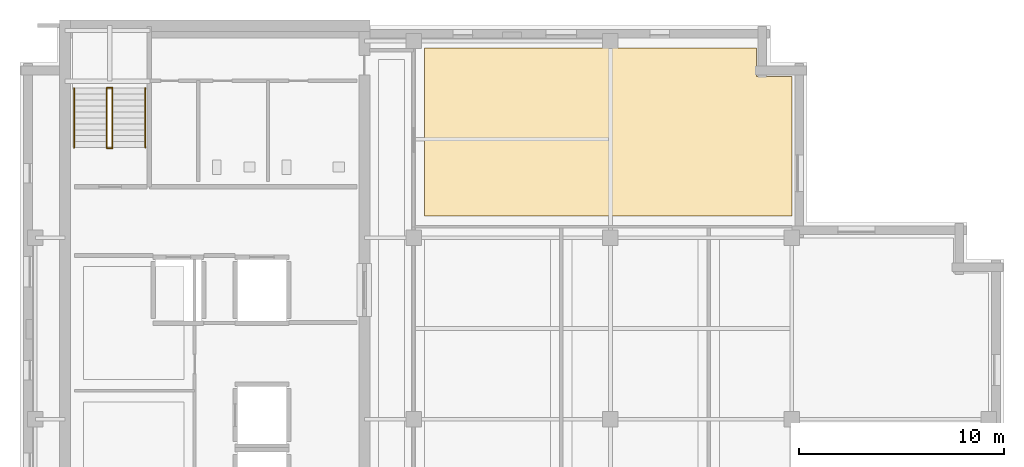
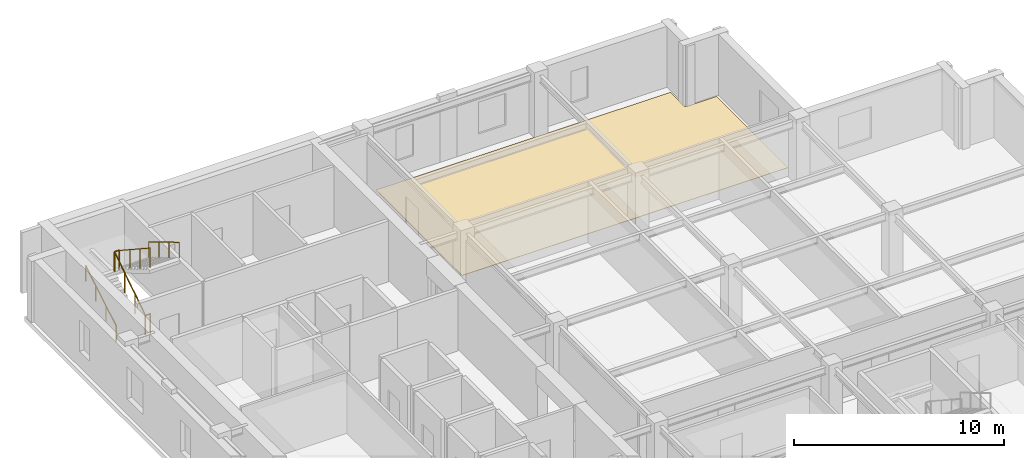
# One storey, part 9 of 10: 6 railings, 1 covering.
"""IFC4 building model written with IfcOpenShell, lengths in metres."""

from ifc_helpers import new_model, si_unit, direction, frame, origin, origin_2d, place, context, subcontext, project, spatial, polyline, circle, outline, extrude, material, layer, layer_set, type_object, element, save


model = new_model("IFC4")

# Units and contexts
model_context = context("Model", 3, precision=1e-05, world=origin(), true_north=direction((0.0, 1.0)))
body_context = subcontext(model_context, "Body", "Model", "MODEL_VIEW")
ifc_project = project(units=[si_unit("LENGTHUNIT", "METRE"), si_unit("AREAUNIT", "SQUARE_METRE"), si_unit("VOLUMEUNIT", "CUBIC_METRE"), si_unit("PLANEANGLEUNIT", "RADIAN"), si_unit("MASSUNIT", "GRAM", prefix="KILO")], contexts=[model_context])

# Site, building, storey
site_placement = place(None, origin())
site = spatial("IfcSite", under=ifc_project, at=site_placement, CompositionType="ELEMENT")
building_placement = place(site_placement, origin())
building = spatial("IfcBuilding", under=site, at=building_placement, Name="Norrvale University Quadrangle", CompositionType="ELEMENT")
storey_placement = place(building_placement, frame((0.0, 0.0, 269.60009765625)))
storey = spatial("IfcBuildingStorey", under=building, at=storey_placement, Name="L68", CompositionType="ELEMENT", Elevation=269.60009765625)

# Covering
ifc_material_1 = material(Name="Polished Terrazzo Flooring")
ifc_layer = layer(ifc_material_1, 0.02490234375, Name="Polished Terrazzo Flooring")
ifc_layer_set = layer_set([ifc_layer], Name="Polished Terrazzo Flooring")
covering_type = type_object("IfcCoveringType", Name="Covering Terrazzo Floor 30", PredefinedType="FLOORING", material=ifc_layer_set)
covering_placement = place(storey_placement, origin())
element("IfcCovering", 1, at=covering_placement, inside=storey, type_object=covering_type, Name="Terrazzo Flooring RM-L68-NE01", PredefinedType="FLOORING", context=body_context, shape_type="SweptSolid", body=[
    extrude(outline(polyline([(37.64990234375, 38.7099609375), (19.72998046875, 38.7099609375), (19.72998046875, 46.919921875), (35.929931640625, 46.919921875), (35.929931640625, 45.530029296875), (37.64990234375, 45.530029296875), (37.64990234375, 38.7099609375)])), origin(), (0.0, 0.0, 1.0), 0.02490234375),
])

# Railings
ifc_material_2 = material(Name="Steel 350W Painted Balustrade", Category="steel")
railing_type_1 = type_object("IfcRailingType", Name="Railing Stair Guard 1100", PredefinedType="GUARDRAIL", material=ifc_material_2)
for number, where, name in (
    (2, (4.239990234375, 42.02001953125, 0.0), "Stair Floor Well Guard ST-02 L68"),
    (3, (4.239990234375, 44.97998046875, 1.89990234375), "Stair Mid-Landing Slot Guard ST-02 L68"),
):
    element("IfcRailing", number, at=place(storey_placement, frame(where)), inside=storey, type_object=railing_type_1, Name=name, PredefinedType="GUARDRAIL", context=body_context, shape_type="SweptSolid", body=[
        extrude(circle(Radius=0.02392578125, at=origin_2d()), frame((0.0, 0.0, 1.1259765625), z_axis=(1.0, 0.0, 0.0), x_axis=(0.0, 1.0, 0.0)), (0.0, 0.0, 1.0), 0.27001953125),
        extrude(circle(Radius=0.02099609375, at=origin_2d()), origin(), (0.0, 0.0, 1.0), 1.101806640625),
        extrude(circle(Radius=0.02099609375, at=origin_2d()), frame((0.27001953125, 0.0, 0.0)), (0.0, 0.0, 1.0), 1.101806640625),
    ])
railing_1_placement = place(storey_placement, frame((4.239990234375, 42.050048828125, 0.0)))
element("IfcRailing", 4, at=railing_1_placement, inside=storey, type_object=railing_type_1, Name="Stair Lower Flight Inner Guard ST-02 L68", PredefinedType="GUARDRAIL", context=body_context, shape_type="SweptSolid", body=[
    extrude(circle(Radius=0.02392578125, at=origin_2d()), frame((0.0, 0.0, 1.1259765625), z_axis=(0.0, 0.836465582154, 0.548019461216), x_axis=(-1.0, 0.0, 0.0)), (0.0, 0.0, 1.0), 3.466796875),
    extrude(circle(Radius=0.02099609375, at=origin_2d()), origin(), (0.0, 0.0, 1.0), 1.101806640625),
    extrude(circle(Radius=0.02099609375, at=origin_2d()), frame((0.0, 0.966552734375, 0.63330078125)), (0.0, 0.0, 1.0), 1.101806640625),
    extrude(circle(Radius=0.02099609375, at=origin_2d()), frame((0.0, 1.933349609375, 1.2666015625)), (0.0, 0.0, 1.0), 1.101806640625),
    extrude(circle(Radius=0.02099609375, at=origin_2d()), frame((0.0, 2.89990234375, 1.89990234375)), (0.0, 0.0, 1.0), 1.101806640625),
])
railing_2_placement = place(storey_placement, frame((4.510009765625, 44.949951171875, 1.89990234375)))
element("IfcRailing", 5, at=railing_2_placement, inside=storey, type_object=railing_type_1, Name="Stair Upper Flight Inner Guard ST-02 L68", PredefinedType="GUARDRAIL", context=body_context, shape_type="SweptSolid", body=[
    extrude(circle(Radius=0.02392578125, at=origin_2d()), frame((0.0, 0.0, 1.1259765625), z_axis=(0.0, -0.836465582154, 0.548019461216), x_axis=(1.0, 0.0, 0.0)), (0.0, 0.0, 1.0), 3.466796875),
    extrude(circle(Radius=0.02099609375, at=origin_2d()), origin(), (0.0, 0.0, 1.0), 1.101806640625),
    extrude(circle(Radius=0.02099609375, at=origin_2d()), frame((0.0, -0.966552734375, 0.63330078125)), (0.0, 0.0, 1.0), 1.101806640625),
    extrude(circle(Radius=0.02099609375, at=origin_2d()), frame((0.0, -1.933349609375, 1.2666015625)), (0.0, 0.0, 1.0), 1.101806640625),
    extrude(circle(Radius=0.02099609375, at=origin_2d()), frame((0.0, -2.89990234375, 1.89990234375)), (0.0, 0.0, 1.0), 1.101806640625),
])
ifc_material_3 = material(Name="Stainless Steel 316L Handrail", Category="steel")
railing_type_2 = type_object("IfcRailingType", Name="Railing Stair Handrail 920", PredefinedType="HANDRAIL", material=ifc_material_3)
railing_3_placement = place(storey_placement, frame((2.639892578125, 42.050048828125, 0.172607421875)))
element("IfcRailing", 6, at=railing_3_placement, inside=storey, type_object=railing_type_2, Name="Stair Lower Flight Handrail ST-02 L68", PredefinedType="HANDRAIL", context=body_context, shape_type="SweptSolid", body=[
    extrude(circle(Radius=0.02392578125, at=origin_2d()), frame((0.0, 0.0, 0.89599609375), z_axis=(0.0, 0.859141464434, 0.511738159696), x_axis=(-1.0, 0.0, 0.0)), (0.0, 0.0, 1.0), 3.375244140625),
    extrude(circle(Radius=0.02099609375, at=origin_2d()), origin(), (0.0, 0.0, 1.0), 0.871826171875),
    extrude(circle(Radius=0.02099609375, at=origin_2d()), frame((0.0, 0.966552734375, 0.57568359375)), (0.0, 0.0, 1.0), 0.871826171875),
    extrude(circle(Radius=0.02099609375, at=origin_2d()), frame((0.0, 1.933349609375, 1.151611328125)), (0.0, 0.0, 1.0), 0.871826171875),
    extrude(circle(Radius=0.02099609375, at=origin_2d()), frame((0.0, 2.89990234375, 1.727294921875)), (0.0, 0.0, 1.0), 0.871826171875),
])
railing_4_placement = place(storey_placement, frame((6.110107421875, 44.949951171875, 2.072509765625)))
element("IfcRailing", 7, at=railing_4_placement, inside=storey, type_object=railing_type_2, Name="Stair Upper Flight Handrail ST-02 L68", PredefinedType="HANDRAIL", context=body_context, shape_type="SweptSolid", body=[
    extrude(circle(Radius=0.02392578125, at=origin_2d()), frame((0.0, 0.0, 0.89599609375), z_axis=(0.0, -0.859141464434, 0.511738159696), x_axis=(1.0, 0.0, 0.0)), (0.0, 0.0, 1.0), 3.375244140625),
    extrude(circle(Radius=0.02099609375, at=origin_2d()), origin(), (0.0, 0.0, 1.0), 0.871826171875),
    extrude(circle(Radius=0.02099609375, at=origin_2d()), frame((0.0, -0.966552734375, 0.57568359375)), (0.0, 0.0, 1.0), 0.871826171875),
    extrude(circle(Radius=0.02099609375, at=origin_2d()), frame((0.0, -1.933349609375, 1.151611328125)), (0.0, 0.0, 1.0), 0.871826171875),
    extrude(circle(Radius=0.02099609375, at=origin_2d()), frame((0.0, -2.89990234375, 1.727294921875)), (0.0, 0.0, 1.0), 0.871826171875),
])

save(model, "model.ifc")
